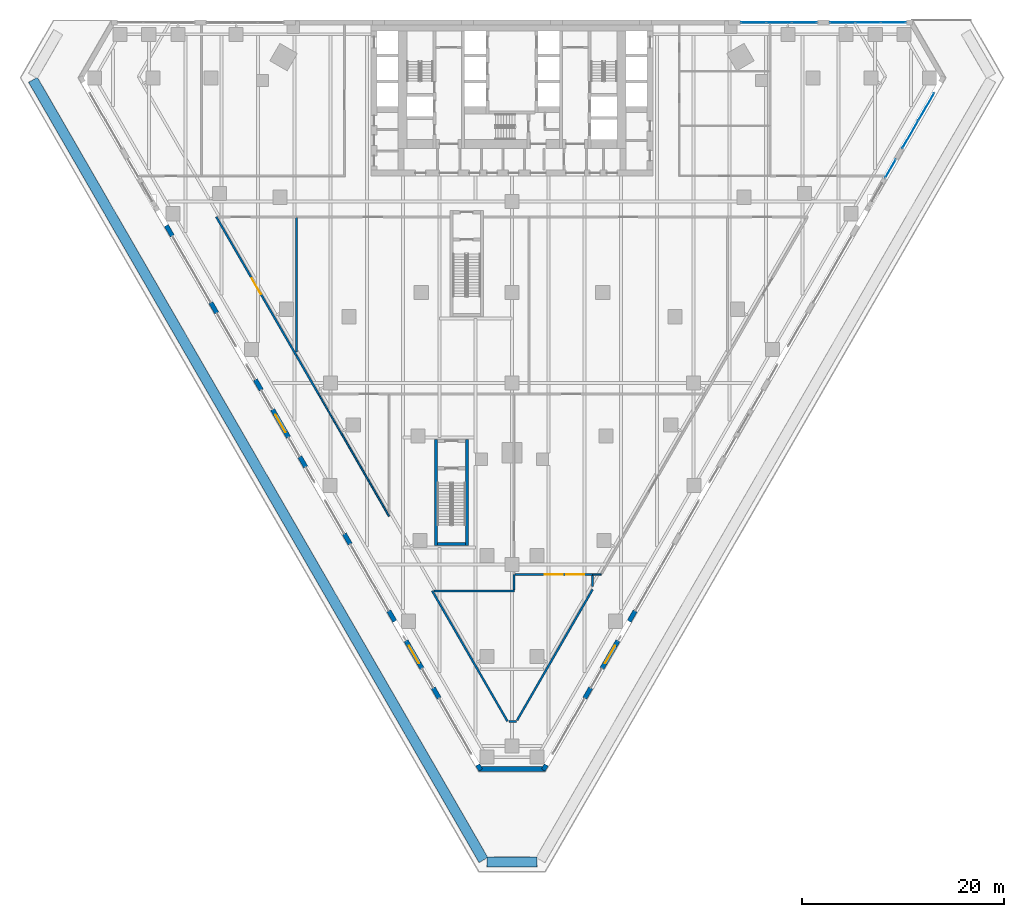
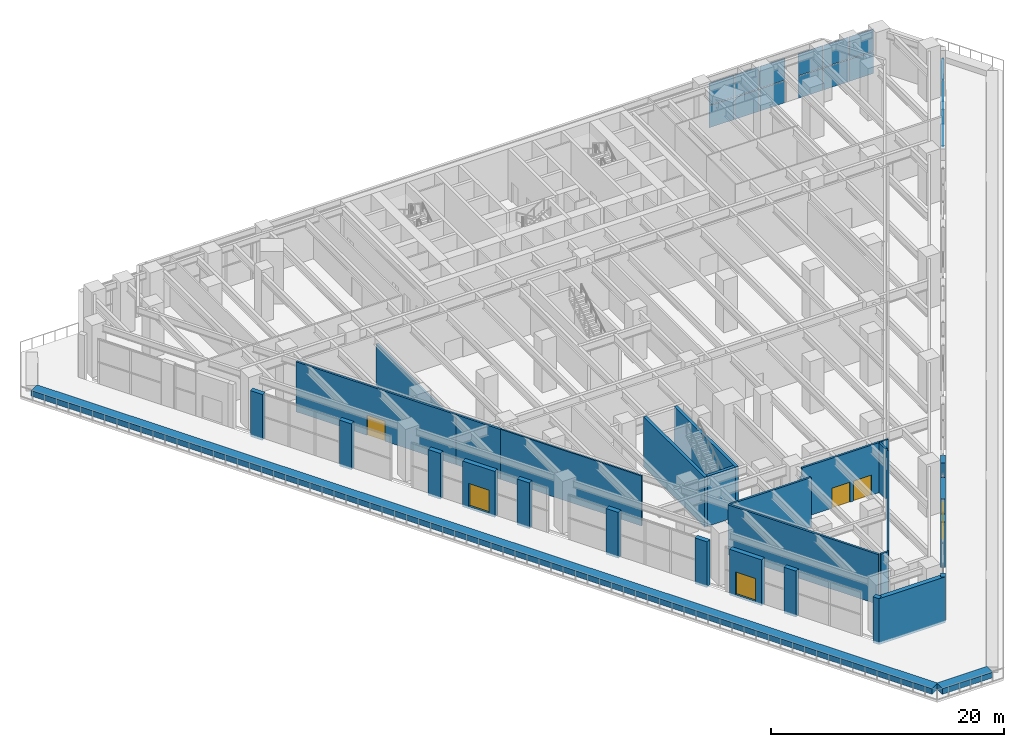
# One storey, part 20 of 30: 32 walls, 17 plates, 6 doors, 6 openings, 4 elements without a shape of their own.
"""IFC4 building model written with IfcOpenShell, lengths in metres."""

from ifc_helpers import new_model, si_unit, direction, frame, frame_2d, origin, origin_2d, place, context, subcontext, project, spatial, polyline, rectangle, outline, extrude, material, layer, layer_set, type_object, element, fill, aggregate, save


model = new_model("IFC4")

# Units and contexts
model_context = context("Model", 3, precision=1e-05, world=origin(), true_north=direction((0.0, 1.0)))
body_context = subcontext(model_context, "Body", "Model", "MODEL_VIEW")
ifc_project = project(units=[si_unit("LENGTHUNIT", "METRE"), si_unit("AREAUNIT", "SQUARE_METRE"), si_unit("VOLUMEUNIT", "CUBIC_METRE"), si_unit("PLANEANGLEUNIT", "RADIAN"), si_unit("MASSUNIT", "GRAM", prefix="KILO")], contexts=[model_context])

# Site, building, storey
site_placement = place(None, origin())
site = spatial("IfcSite", under=ifc_project, at=site_placement, CompositionType="ELEMENT")
building_placement = place(site_placement, origin())
building = spatial("IfcBuilding", under=site, at=building_placement, Name="Aloe Facet Convention Tower", CompositionType="ELEMENT")
storey_placement = place(building_placement, frame((0.0, 0.0, 19.5)))
storey = spatial("IfcBuildingStorey", under=building, at=storey_placement, Name="L03", CompositionType="ELEMENT", Elevation=19.5)

# Curtain wall, plates
ifc_material_1 = material(Name="Aluminium, anodised", Category="aluminium")
curtain_wall_type = type_object("IfcCurtainWallType", Name="EV-CW-HALL", PredefinedType="USERDEFINED", material=ifc_material_1)
curtain_wall_1_placement = place(storey_placement, origin())
curtain_wall_1 = element("IfcCurtainWall", 1, at=curtain_wall_1_placement, inside=storey, type_object=curtain_wall_type, Name="CW-L03-N02", ObjectType="UNITISED HALL GLAZING", PredefinedType="USERDEFINED")
ifc_material_2 = material(Name="Clear double glazing", Category="glass")
ifc_layer_1 = layer(ifc_material_2, 0.035888671875)
ifc_layer_set_1 = layer_set([ifc_layer_1], Name="EV-PANEL-HALL")
plate_type = type_object("IfcPlateType", Name="EV-PANEL-HALL", PredefinedType="CURTAIN_PANEL", material=ifc_layer_set_1)
plate_1_placement = place(storey_placement, frame((117.8330078125, 134.77490234375, -0.18505859375), z_axis=(0.0, 0.0, 1.0), x_axis=(-1.0, 0.0, 0.0)))
plate_1 = element("IfcPlate", 2, at=plate_1_placement, type_object=plate_type, Name="CW-L03-N02 panel 1.1", PredefinedType="CURTAIN_PANEL", context=body_context, shape_type="SweptSolid", body=[
    extrude(rectangle(XDim=2.44482421875, YDim=0.035888671875, at=origin_2d()), origin(), (0.0, 0.0, 1.0), 2.308837890625),
])
plate_2_placement = place(storey_placement, frame((117.8330078125, 134.77490234375, 2.1884765625), z_axis=(0.0, 0.0, 1.0), x_axis=(-1.0, 0.0, 0.0)))
plate_2 = element("IfcPlate", 3, at=plate_2_placement, type_object=plate_type, Name="CW-L03-N02 panel 1.2", PredefinedType="CURTAIN_PANEL", context=body_context, shape_type="SweptSolid", body=[
    extrude(rectangle(XDim=2.44482421875, YDim=0.035888671875, at=origin_2d()), origin(), (0.0, 0.0, 1.0), 2.308837890625),
])
plate_3_placement = place(storey_placement, frame((115.30712890625, 134.77490234375, -0.18505859375), z_axis=(0.0, 0.0, 1.0), x_axis=(-1.0, 0.0, 0.0)))
plate_3 = element("IfcPlate", 4, at=plate_3_placement, type_object=plate_type, Name="CW-L03-N02 panel 2.1", PredefinedType="CURTAIN_PANEL", context=body_context, shape_type="SweptSolid", body=[
    extrude(rectangle(XDim=2.477294921875, YDim=0.035888671875, at=origin_2d()), origin(), (0.0, 0.0, 1.0), 2.308837890625),
])
plate_4_placement = place(storey_placement, frame((115.30712890625, 134.77490234375, 2.1884765625), z_axis=(0.0, 0.0, 1.0), x_axis=(-1.0, 0.0, 0.0)))
plate_4 = element("IfcPlate", 5, at=plate_4_placement, type_object=plate_type, Name="CW-L03-N02 panel 2.2", PredefinedType="CURTAIN_PANEL", context=body_context, shape_type="SweptSolid", body=[
    extrude(rectangle(XDim=2.477294921875, YDim=0.035888671875, at=origin_2d()), origin(), (0.0, 0.0, 1.0), 2.308837890625),
])
plate_5_placement = place(storey_placement, frame((112.781005859375, 134.77490234375, -0.18505859375), z_axis=(0.0, 0.0, 1.0), x_axis=(-1.0, 0.0, 0.0)))
plate_5 = element("IfcPlate", 6, at=plate_5_placement, type_object=plate_type, Name="CW-L03-N02 panel 3.1", PredefinedType="CURTAIN_PANEL", context=body_context, shape_type="SweptSolid", body=[
    extrude(rectangle(XDim=2.44482421875, YDim=0.035888671875, at=origin_2d()), origin(), (0.0, 0.0, 1.0), 2.308837890625),
])
plate_6_placement = place(storey_placement, frame((112.781005859375, 134.77490234375, 2.1884765625), z_axis=(0.0, 0.0, 1.0), x_axis=(-1.0, 0.0, 0.0)))
plate_6 = element("IfcPlate", 7, at=plate_6_placement, type_object=plate_type, Name="CW-L03-N02 panel 3.2", PredefinedType="CURTAIN_PANEL", context=body_context, shape_type="SweptSolid", body=[
    extrude(rectangle(XDim=2.44482421875, YDim=0.035888671875, at=origin_2d()), origin(), (0.0, 0.0, 1.0), 2.308837890625),
])
aggregate(curtain_wall_1, [plate_1, plate_2, plate_3, plate_4, plate_5, plate_6])

curtain_wall_2_placement = place(storey_placement, origin())
curtain_wall_2 = element("IfcCurtainWall", 8, at=curtain_wall_2_placement, inside=storey, type_object=curtain_wall_type, Name="CW-L03-N04", ObjectType="UNITISED HALL GLAZING", PredefinedType="USERDEFINED")
plate_7_placement = place(storey_placement, frame((109.00634765625, 134.77490234375, -0.18505859375), z_axis=(0.0, 0.0, 1.0), x_axis=(-1.0, 0.0, 0.0)))
plate_7 = element("IfcPlate", 9, at=plate_7_placement, type_object=plate_type, Name="CW-L03-N04 panel 1.1", PredefinedType="CURTAIN_PANEL", context=body_context, shape_type="SweptSolid", body=[
    extrude(rectangle(XDim=2.44482421875, YDim=0.035888671875, at=origin_2d()), origin(), (0.0, 0.0, 1.0), 2.308837890625),
])
plate_8_placement = place(storey_placement, frame((109.00634765625, 134.77490234375, 2.1884765625), z_axis=(0.0, 0.0, 1.0), x_axis=(-1.0, 0.0, 0.0)))
plate_8 = element("IfcPlate", 10, at=plate_8_placement, type_object=plate_type, Name="CW-L03-N04 panel 1.2", PredefinedType="CURTAIN_PANEL", context=body_context, shape_type="SweptSolid", body=[
    extrude(rectangle(XDim=2.44482421875, YDim=0.035888671875, at=origin_2d()), origin(), (0.0, 0.0, 1.0), 2.308837890625),
])
plate_9_placement = place(storey_placement, frame((106.480224609375, 134.77490234375, -0.18505859375), z_axis=(0.0, 0.0, 1.0), x_axis=(-1.0, 0.0, 0.0)))
plate_9 = element("IfcPlate", 11, at=plate_9_placement, type_object=plate_type, Name="CW-L03-N04 panel 2.1", PredefinedType="CURTAIN_PANEL", context=body_context, shape_type="SweptSolid", body=[
    extrude(rectangle(XDim=2.477294921875, YDim=0.035888671875, at=origin_2d()), origin(), (0.0, 0.0, 1.0), 2.308837890625),
])
plate_10_placement = place(storey_placement, frame((106.480224609375, 134.77490234375, 2.1884765625), z_axis=(0.0, 0.0, 1.0), x_axis=(-1.0, 0.0, 0.0)))
plate_10 = element("IfcPlate", 12, at=plate_10_placement, type_object=plate_type, Name="CW-L03-N04 panel 2.2", PredefinedType="CURTAIN_PANEL", context=body_context, shape_type="SweptSolid", body=[
    extrude(rectangle(XDim=2.477294921875, YDim=0.035888671875, at=origin_2d()), origin(), (0.0, 0.0, 1.0), 2.308837890625),
])
plate_11_placement = place(storey_placement, frame((103.954345703125, 134.77490234375, -0.18505859375), z_axis=(0.0, 0.0, 1.0), x_axis=(-1.0, 0.0, 0.0)))
plate_11 = element("IfcPlate", 13, at=plate_11_placement, type_object=plate_type, Name="CW-L03-N04 panel 3.1", PredefinedType="CURTAIN_PANEL", context=body_context, shape_type="SweptSolid", body=[
    extrude(rectangle(XDim=2.44482421875, YDim=0.035888671875, at=origin_2d()), origin(), (0.0, 0.0, 1.0), 2.308837890625),
])
plate_12_placement = place(storey_placement, frame((103.954345703125, 134.77490234375, 2.1884765625), z_axis=(0.0, 0.0, 1.0), x_axis=(-1.0, 0.0, 0.0)))
plate_12 = element("IfcPlate", 14, at=plate_12_placement, type_object=plate_type, Name="CW-L03-N04 panel 3.2", PredefinedType="CURTAIN_PANEL", context=body_context, shape_type="SweptSolid", body=[
    extrude(rectangle(XDim=2.44482421875, YDim=0.035888671875, at=origin_2d()), origin(), (0.0, 0.0, 1.0), 2.308837890625),
])
aggregate(curtain_wall_2, [plate_7, plate_8, plate_9, plate_10, plate_11, plate_12])

# Curtain wall, plate
curtain_wall_3_placement = place(storey_placement, origin())
curtain_wall_3 = element("IfcCurtainWall", 15, at=curtain_wall_3_placement, inside=storey, type_object=curtain_wall_type, Name="CW-L03-E16B", ObjectType="UNITISED HALL GLAZING", PredefinedType="USERDEFINED")
plate_13_placement = place(storey_placement, frame((117.558837890625, 120.2744140625, 2.1884765625), z_axis=(0.0, 0.0, 1.0), x_axis=(0.50000000003, 0.866025403767, 0.0)))
plate_13 = element("IfcPlate", 16, at=plate_13_placement, type_object=plate_type, Name="CW-L03-E16B panel 1.2", PredefinedType="CURTAIN_PANEL", context=body_context, shape_type="SweptSolid", body=[
    extrude(rectangle(XDim=2.08349609375, YDim=0.035888671875, at=origin_2d()), origin(), (0.0, 0.0, 1.0), 2.308837890625),
])
aggregate(curtain_wall_3, [plate_13])

# Curtain wall, plates
curtain_wall_4_placement = place(storey_placement, origin())
curtain_wall_4 = element("IfcCurtainWall", 17, at=curtain_wall_4_placement, inside=storey, type_object=curtain_wall_type, Name="CW-L03-E18", ObjectType="UNITISED HALL GLAZING", PredefinedType="USERDEFINED")
plate_14_placement = place(storey_placement, frame((119.51953125, 123.67041015625, -0.18505859375), z_axis=(0.0, 0.0, 1.0), x_axis=(0.499999999894, 0.866025403846, 0.0)))
plate_14 = element("IfcPlate", 18, at=plate_14_placement, type_object=plate_type, Name="CW-L03-E18 panel 1.1", PredefinedType="CURTAIN_PANEL", context=body_context, shape_type="SweptSolid", body=[
    extrude(rectangle(XDim=3.099365234375, YDim=0.035888671875, at=origin_2d()), origin(), (0.0, 0.0, 1.0), 2.308837890625),
])
plate_15_placement = place(storey_placement, frame((119.51953125, 123.67041015625, 2.1884765625), z_axis=(0.0, 0.0, 1.0), x_axis=(0.499999999894, 0.866025403846, 0.0)))
plate_15 = element("IfcPlate", 19, at=plate_15_placement, type_object=plate_type, Name="CW-L03-E18 panel 1.2", PredefinedType="CURTAIN_PANEL", context=body_context, shape_type="SweptSolid", body=[
    extrude(rectangle(XDim=3.099365234375, YDim=0.035888671875, at=origin_2d()), origin(), (0.0, 0.0, 1.0), 2.308837890625),
])
plate_16_placement = place(storey_placement, frame((121.101806640625, 126.410888671875, -0.18505859375), z_axis=(0.0, 0.0, 1.0), x_axis=(0.499999999894, 0.866025403846, 0.0)))
plate_16 = element("IfcPlate", 20, at=plate_16_placement, type_object=plate_type, Name="CW-L03-E18 panel 2.1", PredefinedType="CURTAIN_PANEL", context=body_context, shape_type="SweptSolid", body=[
    extrude(rectangle(XDim=3.099365234375, YDim=0.035888671875, at=origin_2d()), origin(), (0.0, 0.0, 1.0), 2.308837890625),
])
plate_17_placement = place(storey_placement, frame((121.101806640625, 126.410888671875, 2.1884765625), z_axis=(0.0, 0.0, 1.0), x_axis=(0.499999999894, 0.866025403846, 0.0)))
plate_17 = element("IfcPlate", 21, at=plate_17_placement, type_object=plate_type, Name="CW-L03-E18 panel 2.2", PredefinedType="CURTAIN_PANEL", context=body_context, shape_type="SweptSolid", body=[
    extrude(rectangle(XDim=3.099365234375, YDim=0.035888671875, at=origin_2d()), origin(), (0.0, 0.0, 1.0), 2.308837890625),
])
aggregate(curtain_wall_4, [plate_14, plate_15, plate_16, plate_17])

# Walls
ifc_material_3 = material(Name="Concrete C50/60", Category="concrete")
ifc_layer_2 = layer(ifc_material_3, 0.300048828125)
ifc_layer_set_2 = layer_set([ifc_layer_2], Name="CR-W-RC300-C5060")
wall_type_1 = type_object("IfcWallType", Name="CR-W-RC300-C5060", PredefinedType="SOLIDWALL", material=ifc_layer_set_2)
for number, where, z_axis, x_axis, name in (
    (22, (72.47509765625, 82.89990234375, 0.0), (0.0, 0.0, 1.0), (0.0, 1.0, 0.0), "Exit stair wall L03-01"),
    (23, (75.52490234375, 82.89990234375, 0.0), (0.0, 0.0, 1.0), (0.0, 1.0, 0.0), "Exit stair wall L03-02"),
):
    element("IfcWall", number, at=place(storey_placement, frame(where, z_axis=z_axis, x_axis=x_axis)), inside=storey, type_object=wall_type_1, Name=name, PredefinedType="SOLIDWALL", context=body_context, shape_type="SweptSolid", body=[
        extrude(rectangle(XDim=10.5, YDim=0.300048828125, at=frame_2d((5.25, 0.0))), origin(), (0.0, 0.0, 1.0), 5.25),
    ])
wall_1_placement = place(storey_placement, frame((72.625, 83.050048828125, 0.0), z_axis=(0.0, 0.0, 1.0), x_axis=(1.0, 0.0, 0.0)))
element("IfcWall", 24, at=wall_1_placement, inside=storey, type_object=wall_type_1, Name="Exit stair wall L03-03", PredefinedType="SOLIDWALL", context=body_context, shape_type="SweptSolid", body=[
    extrude(rectangle(XDim=2.75, YDim=0.300048828125, at=frame_2d((1.375, 0.0))), origin(), (0.0, 0.0, 1.0), 5.25),
])
ifc_material_4 = material(Name="Precast concrete C40/50", Category="concrete")
ifc_layer_3 = layer(ifc_material_4, 1.0)
ifc_layer_set_3 = layer_set([ifc_layer_3], Name="EV-PLANTER-BED")
wall_type_2 = type_object("IfcWallType", Name="EV-PLANTER-BED", PredefinedType="STANDARD", material=ifc_layer_set_3)
wall_2_placement = place(storey_placement, frame((82.5, 51.486328125, 0.0), z_axis=(0.0, 0.0, 1.0), x_axis=(-1.0, 0.0, 0.0)))
element("IfcWall", 25, at=wall_2_placement, inside=storey, type_object=wall_type_2, Name="PLANTER PT-L03-1-3", PredefinedType="STANDARD", context=body_context, shape_type="SweptSolid", body=[
    extrude(rectangle(XDim=5.0, YDim=1.0, at=frame_2d((2.5, 0.0))), origin(), (0.0, 0.0, 1.0), 0.60009765625),
])
wall_3_placement = place(storey_placement, frame((77.166015625, 51.67919921875, 0.0), z_axis=(0.0, 0.0, 1.0), x_axis=(-0.500001590908, 0.866024485271, 0.0)))
element("IfcWall", 26, at=wall_3_placement, inside=storey, type_object=wall_type_2, Name="PLANTER PT-L03-1-4", PredefinedType="STANDARD", context=body_context, shape_type="SweptSolid", body=[
    extrude(rectangle(XDim=89.387939453125, YDim=1.0, at=frame_2d((44.69384765625, 0.0))), origin(), (0.0, 0.0, 1.0), 0.60009765625),
])
ifc_material_5 = material(Name="Precast concrete C40/50", Category="concrete")
ifc_layer_4 = layer(ifc_material_5, 0.449951171875)
ifc_layer_set_4 = layer_set([ifc_layer_4], Name="EV-WALL-PIER")
wall_type_3 = type_object("IfcWallType", Name="EV-WALL-PIER", PredefinedType="SOLIDWALL", material=ifc_layer_set_4)
wall_4_placement = place(storey_placement, frame((0.0, 0.0, -0.25)))
element("IfcWall", 27, at=wall_4_placement, inside=storey, type_object=wall_type_3, Name="EP-L03-B", PredefinedType="SOLIDWALL", context=body_context, shape_type="SweptSolid", body=[
    extrude(outline(polyline([(76.699951171875, 60.486328125), (77.089599609375, 60.711181640625), (76.959716796875, 60.936279296875), (83.040283203125, 60.936279296875), (82.910400390625, 60.711181640625), (83.300048828125, 60.486328125), (76.699951171875, 60.486328125)])), origin(), (0.0, 0.0, 1.0), 4.8125),
])
ifc_material_6 = material(Name="Precast concrete C40/50", Category="concrete")
ifc_layer_5 = layer(ifc_material_6, 0.449951171875)
ifc_layer_set_5 = layer_set([ifc_layer_5], Name="EV-WALL-STONE")
wall_type_4 = type_object("IfcWallType", Name="EV-WALL-STONE", PredefinedType="SOLIDWALL", material=ifc_layer_set_5)
for number, where, z_axis, x_axis, name in (
    (28, (45.701171875, 114.6279296875, -0.25), (0.0, 0.0, 1.0), (0.499880961361, -0.866094119867, 0.0), "PW-L03-W05"),
    (29, (50.114501953125, 106.983642578125, -0.25), (0.0, 0.0, 1.0), (0.50012165622, -0.865955154139, 0.0), "PW-L03-W07"),
):
    element("IfcWall", number, at=place(storey_placement, frame(where, z_axis=z_axis, x_axis=x_axis)), inside=storey, type_object=wall_type_4, Name=name, PredefinedType="SOLIDWALL", context=body_context, shape_type="SweptSolid", body=[
        extrude(rectangle(XDim=1.199951171875, YDim=0.449951171875, at=frame_2d((0.60009765625, 0.0))), origin(), (0.0, 0.0, 1.0), 4.8125),
    ])
wall_5_placement = place(storey_placement, frame((54.52783203125, 99.339599609375, -0.25), z_axis=(0.0, 0.0, 1.0), x_axis=(0.500033551112, -0.866006032174, 0.0)))
element("IfcWall", 30, at=wall_5_placement, inside=storey, type_object=wall_type_4, Name="PW-L03-W09", PredefinedType="SOLIDWALL", context=body_context, shape_type="SweptSolid", body=[
    extrude(rectangle(XDim=1.2001953125, YDim=0.449951171875, at=frame_2d((0.60009765625, 0.0))), origin(), (0.0, 0.0, 1.0), 4.8125),
])

# Wall, opening, door
wall_6_placement = place(storey_placement, frame((56.234619140625, 96.38330078125, -0.25), z_axis=(0.0, 0.0, 1.0), x_axis=(0.500028443584, -0.866008981251, 0.0)))
wall_6 = element("IfcWall", 31, at=wall_6_placement, inside=storey, type_object=wall_type_4, Name="PW-L03-W10", PredefinedType="SOLIDWALL", context=body_context, shape_type="SweptSolid", body=[
    extrude(rectangle(XDim=3.199951171875, YDim=0.449951171875, at=frame_2d((1.60009765625, 0.0))), origin(), (0.0, 0.0, 1.0), 4.8125),
])
opening_1_placement = place(wall_6_placement, frame((0.60009765625, 0.0, 0.25)))
opening_1 = element("IfcOpeningElement", 32, at=opening_1_placement, cuts=wall_6, Name="Opening D-L03-W10", PredefinedType="OPENING", context=body_context, shape_type="SweptSolid", body=[
    extrude(rectangle(XDim=2.0, YDim=2.39990234375, at=frame_2d((1.0, 1.199951171875))), frame((0.0, 0.23486328125, 0.0), z_axis=(0.0, -1.0, 0.0), x_axis=(1.0, 0.0, 0.0)), (0.0, 0.0, 1.0), 0.469970703125),
])
ifc_material_7 = material(Name="Aluminium frame, clear double glazing", Category="aluminium")
door_type_1 = type_object("IfcDoorType", Name="EV-DOOR-HALL", OperationType="DOUBLE_DOOR_SINGLE_SWING", PredefinedType="DOOR", material=ifc_material_7)
door_1_placement = place(opening_1_placement, origin())
door_1 = element("IfcDoor", 33, at=door_1_placement, inside=storey, type_object=door_type_1, Name="D-L03-W10", OperationType="DOUBLE_DOOR_SINGLE_SWING", OverallHeight=2.39990234375, OverallWidth=2.0, PredefinedType="DOOR", context=body_context, shape_type="SweptSolid", body=[
    extrude(rectangle(XDim=2.0, YDim=2.39990234375, at=frame_2d((1.0, 1.199951171875))), frame((0.0, 0.02490234375, 0.0), z_axis=(0.0, -1.0, 0.0), x_axis=(1.0, 0.0, 0.0)), (0.0, 0.0, 1.0), 0.050048828125),
])
fill(opening_1, door_1)

# Walls
for number, where, z_axis, x_axis, name in (
    (34, (58.94140625, 91.6953125, -0.25), (0.0, 0.0, 1.0), (0.499880961361, -0.866094119867, 0.0), "PW-L03-W11"),
    (35, (63.354736328125, 84.051025390625, -0.25), (0.0, 0.0, 1.0), (0.499880961361, -0.866094119867, 0.0), "PW-L03-W13"),
    (36, (67.76806640625, 76.40673828125, -0.25), (0.0, 0.0, 1.0), (0.50012165622, -0.865955154139, 0.0), "PW-L03-W15"),
):
    element("IfcWall", number, at=place(storey_placement, frame(where, z_axis=z_axis, x_axis=x_axis)), inside=storey, type_object=wall_type_4, Name=name, PredefinedType="SOLIDWALL", context=body_context, shape_type="SweptSolid", body=[
        extrude(rectangle(XDim=1.199951171875, YDim=0.449951171875, at=frame_2d((0.60009765625, 0.0))), origin(), (0.0, 0.0, 1.0), 4.8125),
    ])

# Wall, opening, door
wall_7_placement = place(storey_placement, frame((69.474853515625, 73.45068359375, -0.25), z_axis=(0.0, 0.0, 1.0), x_axis=(0.499971222258, -0.866042017984, 0.0)))
wall_7 = element("IfcWall", 37, at=wall_7_placement, inside=storey, type_object=wall_type_4, Name="PW-L03-W16", PredefinedType="SOLIDWALL", context=body_context, shape_type="SweptSolid", body=[
    extrude(rectangle(XDim=3.199951171875, YDim=0.449951171875, at=frame_2d((1.60009765625, 0.0))), origin(), (0.0, 0.0, 1.0), 4.8125),
])
opening_2_placement = place(wall_7_placement, frame((0.60009765625, 0.0, 0.25)))
opening_2 = element("IfcOpeningElement", 38, at=opening_2_placement, cuts=wall_7, Name="Opening D-L03-W16", PredefinedType="OPENING", context=body_context, shape_type="SweptSolid", body=[
    extrude(rectangle(XDim=2.0, YDim=2.39990234375, at=frame_2d((1.0, 1.199951171875))), frame((0.0, 0.23486328125, 0.0), z_axis=(0.0, -1.0, 0.0), x_axis=(1.0, 0.0, 0.0)), (0.0, 0.0, 1.0), 0.469970703125),
])
door_2_placement = place(opening_2_placement, origin())
door_2 = element("IfcDoor", 39, at=door_2_placement, inside=storey, type_object=door_type_1, Name="D-L03-W16", OperationType="DOUBLE_DOOR_SINGLE_SWING", OverallHeight=2.39990234375, OverallWidth=2.0, PredefinedType="DOOR", context=body_context, shape_type="SweptSolid", body=[
    extrude(rectangle(XDim=2.0, YDim=2.39990234375, at=frame_2d((1.0, 1.199951171875))), frame((0.0, 0.02490234375, 0.0), z_axis=(0.0, -1.0, 0.0), x_axis=(1.0, 0.0, 0.0)), (0.0, 0.0, 1.0), 0.050048828125),
])
fill(opening_2, door_2)

# Walls
wall_8_placement = place(storey_placement, frame((72.181396484375, 68.7626953125, -0.25), z_axis=(0.0, 0.0, 1.0), x_axis=(0.500033551112, -0.866006032174, 0.0)))
element("IfcWall", 40, at=wall_8_placement, inside=storey, type_object=wall_type_4, Name="PW-L03-W17", PredefinedType="SOLIDWALL", context=body_context, shape_type="SweptSolid", body=[
    extrude(rectangle(XDim=1.2001953125, YDim=0.449951171875, at=frame_2d((0.60009765625, 0.0))), origin(), (0.0, 0.0, 1.0), 4.8125),
])
for number, where, z_axis, x_axis, name in (
    (41, (76.594970703125, 61.118408203125, -0.25), (0.0, 0.0, 1.0), (0.499816412211, -0.866131372301, 0.0), "PW-L03-W19"),
    (42, (83.105224609375, 60.598876953125, -0.25), (0.0, 0.0, 1.0), (0.499816412211, 0.866131372301, 0.0), "PW-L03-E01"),
):
    element("IfcWall", number, at=place(storey_placement, frame(where, z_axis=z_axis, x_axis=x_axis)), inside=storey, type_object=wall_type_4, Name=name, PredefinedType="SOLIDWALL", context=body_context, shape_type="SweptSolid", body=[
        extrude(rectangle(XDim=0.599853515625, YDim=0.449951171875, at=frame_2d((0.2998046875, 0.0))), origin(), (0.0, 0.0, 1.0), 4.8125),
    ])
wall_9_placement = place(storey_placement, frame((87.218505859375, 67.723388671875, -0.25), z_axis=(0.0, 0.0, 1.0), x_axis=(0.500033551112, 0.866006032174, 0.0)))
element("IfcWall", 43, at=wall_9_placement, inside=storey, type_object=wall_type_4, Name="PW-L03-E03", PredefinedType="SOLIDWALL", context=body_context, shape_type="SweptSolid", body=[
    extrude(rectangle(XDim=1.2001953125, YDim=0.449951171875, at=frame_2d((0.60009765625, 0.0))), origin(), (0.0, 0.0, 1.0), 4.8125),
])

# Wall, opening, door
wall_10_placement = place(storey_placement, frame((88.92529296875, 70.679443359375, -0.25), z_axis=(0.0, 0.0, 1.0), x_axis=(0.499971222258, 0.866042017984, 0.0)))
wall_10 = element("IfcWall", 44, at=wall_10_placement, inside=storey, type_object=wall_type_4, Name="PW-L03-E04", PredefinedType="SOLIDWALL", context=body_context, shape_type="SweptSolid", body=[
    extrude(rectangle(XDim=3.199951171875, YDim=0.449951171875, at=frame_2d((1.60009765625, 0.0))), origin(), (0.0, 0.0, 1.0), 4.8125),
])
opening_3_placement = place(wall_10_placement, frame((0.60009765625, 0.0, 0.25)))
opening_3 = element("IfcOpeningElement", 45, at=opening_3_placement, cuts=wall_10, Name="Opening D-L03-E04", PredefinedType="OPENING", context=body_context, shape_type="SweptSolid", body=[
    extrude(rectangle(XDim=2.0, YDim=2.39990234375, at=frame_2d((1.0, 1.199951171875))), frame((0.0, 0.23486328125, 0.0), z_axis=(0.0, -1.0, 0.0), x_axis=(1.0, 0.0, 0.0)), (0.0, 0.0, 1.0), 0.469970703125),
])
door_3_placement = place(opening_3_placement, origin())
door_3 = element("IfcDoor", 46, at=door_3_placement, inside=storey, type_object=door_type_1, Name="D-L03-E04", OperationType="DOUBLE_DOOR_SINGLE_SWING", OverallHeight=2.39990234375, OverallWidth=2.0, PredefinedType="DOOR", context=body_context, shape_type="SweptSolid", body=[
    extrude(rectangle(XDim=2.0, YDim=2.39990234375, at=frame_2d((1.0, 1.199951171875))), frame((0.0, 0.02490234375, 0.0), z_axis=(0.0, -1.0, 0.0), x_axis=(1.0, 0.0, 0.0)), (0.0, 0.0, 1.0), 0.050048828125),
])
fill(opening_3, door_3)

# Walls
wall_11_placement = place(storey_placement, frame((91.6318359375, 75.36767578125, -0.25), z_axis=(0.0, 0.0, 1.0), x_axis=(0.50012165622, 0.865955154139, 0.0)))
element("IfcWall", 47, at=wall_11_placement, inside=storey, type_object=wall_type_4, Name="PW-L03-E05", PredefinedType="SOLIDWALL", context=body_context, shape_type="SweptSolid", body=[
    extrude(rectangle(XDim=1.199951171875, YDim=0.449951171875, at=frame_2d((0.60009765625, 0.0))), origin(), (0.0, 0.0, 1.0), 4.8125),
])
ifc_material_8 = material(Name="Masonry blockwork wall, plastered", Category="masonry")
ifc_layer_6 = layer(ifc_material_8, 0.199951171875)
ifc_layer_set_6 = layer_set([ifc_layer_6], Name="IN-POD-W-ASSY")
wall_type_5 = type_object("IfcWallType", Name="IN-POD-W-ASSY", PredefinedType="PARTITIONING", material=ifc_layer_set_6)
wall_12_placement = place(storey_placement, frame((72.084716796875, 78.3798828125, 0.0), z_axis=(0.0, 0.0, 1.0), x_axis=(0.500007605189, -0.866021012882, 0.0)))
element("IfcWall", 48, at=wall_12_placement, inside=storey, type_object=wall_type_5, Name="Partition L03-W001", PredefinedType="PARTITIONING", context=body_context, shape_type="SweptSolid", body=[
    extrude(rectangle(XDim=14.946044921875, YDim=0.199951171875, at=frame_2d((7.47314453125, 0.0))), origin(), (0.0, 0.0, 1.0), 5.25),
])
wall_13_placement = place(storey_placement, frame((79.687744140625, 65.436279296875, 0.0), z_axis=(0.0, 0.0, 1.0), x_axis=(1.0, 0.0, 0.0)))
element("IfcWall", 49, at=wall_13_placement, inside=storey, type_object=wall_type_5, Name="Partition L03-W002", PredefinedType="PARTITIONING", context=body_context, shape_type="SweptSolid", body=[
    extrude(rectangle(XDim=0.75439453125, YDim=0.199951171875, at=frame_2d((0.377197265625, 0.0))), origin(), (0.0, 0.0, 1.0), 5.25),
])
wall_14_placement = place(storey_placement, frame((72.24462890625, 78.3798828125, 0.0), z_axis=(0.0, 0.0, 1.0), x_axis=(1.0, 0.0, 0.0)))
element("IfcWall", 50, at=wall_14_placement, inside=storey, type_object=wall_type_5, Name="Partition L03-W003", PredefinedType="PARTITIONING", context=body_context, shape_type="SweptSolid", body=[
    extrude(rectangle(XDim=8.025390625, YDim=0.199951171875, at=frame_2d((4.0126953125, 0.0))), origin(), (0.0, 0.0, 1.0), 5.25),
])
wall_15_placement = place(storey_placement, frame((80.195068359375, 78.465087890625, 0.0), z_axis=(0.0, 0.0, 1.0), x_axis=(0.0, 1.0, 0.0)))
element("IfcWall", 51, at=wall_15_placement, inside=storey, type_object=wall_type_5, Name="Partition L03-W004", PredefinedType="PARTITIONING", context=body_context, shape_type="SweptSolid", body=[
    extrude(rectangle(XDim=1.534912109375, YDim=0.199951171875, at=frame_2d((0.767578125, 0.0))), origin(), (0.0, 0.0, 1.0), 4.38916015625),
])
wall_16_placement = place(storey_placement, frame((80.507080078125, 65.548828125, 0.0), z_axis=(0.0, 0.0, 1.0), x_axis=(0.500002619555, 0.866023891378, 0.0)))
element("IfcWall", 52, at=wall_16_placement, inside=storey, type_object=wall_type_5, Name="Partition L03-W005", PredefinedType="PARTITIONING", context=body_context, shape_type="SweptSolid", body=[
    extrude(rectangle(XDim=14.98583984375, YDim=0.199951171875, at=frame_2d((7.492919921875, 0.0))), origin(), (0.0, 0.0, 1.0), 5.25),
])
wall_17_placement = place(storey_placement, frame((88.0, 78.806884765625, 0.0), z_axis=(0.0, 0.0, 1.0), x_axis=(0.0, 1.0, 0.0)))
element("IfcWall", 53, at=wall_17_placement, inside=storey, type_object=wall_type_5, Name="Partition L03-W007", PredefinedType="PARTITIONING", context=body_context, shape_type="SweptSolid", body=[
    extrude(rectangle(XDim=1.108154296875, YDim=0.199951171875, at=frame_2d((0.55419921875, 0.0))), origin(), (0.0, 0.0, 1.0), 5.25),
])

# Wall, openings, doors
wall_18_placement = place(storey_placement, frame((80.280029296875, 80.0, 0.0), z_axis=(0.0, 0.0, 1.0), x_axis=(1.0, 0.0, 0.0)))
wall_18 = element("IfcWall", 54, at=wall_18_placement, inside=storey, type_object=wall_type_5, Name="Partition L03-W008", PredefinedType="PARTITIONING", context=body_context, shape_type="SweptSolid", body=[
    extrude(rectangle(XDim=7.719970703125, YDim=0.199951171875, at=frame_2d((3.85986328125, 0.0))), origin(), (0.0, 0.0, 1.0), 5.25),
])
opening_4_placement = place(wall_18_placement, frame((2.9599609375, 0.0, 0.0)))
opening_4 = element("IfcOpeningElement", 55, at=opening_4_placement, cuts=wall_18, Name="Opening L03-016", PredefinedType="OPENING", context=body_context, shape_type="SweptSolid", body=[
    extrude(rectangle(XDim=1.800048828125, YDim=2.10009765625, at=frame_2d((0.89990234375, 1.050048828125))), frame((0.0, 0.10986328125, 0.0), z_axis=(0.0, -1.0, 0.0), x_axis=(1.0, 0.0, 0.0)), (0.0, 0.0, 1.0), 0.219970703125),
])
opening_5_placement = place(wall_18_placement, frame((5.087890625, 0.0, 0.0)))
opening_5 = element("IfcOpeningElement", 56, at=opening_5_placement, cuts=wall_18, Name="Opening L03-017", PredefinedType="OPENING", context=body_context, shape_type="SweptSolid", body=[
    extrude(rectangle(XDim=1.800048828125, YDim=2.10009765625, at=frame_2d((0.89990234375, 1.050048828125))), frame((0.0, 0.10986328125, 0.0), z_axis=(0.0, -1.0, 0.0), x_axis=(1.0, 0.0, 0.0)), (0.0, 0.0, 1.0), 0.219970703125),
])
ifc_material_9 = material(Name="Hardwood flush door pair", Category="wood")
door_type_2 = type_object("IfcDoorType", Name="IN-POD-D-PAIR", OperationType="DOUBLE_DOOR_SINGLE_SWING", PredefinedType="DOOR", material=ifc_material_9)
door_4_placement = place(opening_4_placement, origin())
door_4 = element("IfcDoor", 57, at=door_4_placement, inside=storey, type_object=door_type_2, Name="Door L03-016", OperationType="SINGLE_SWING_LEFT", OverallHeight=2.10009765625, OverallWidth=1.800048828125, PredefinedType="DOOR", context=body_context, shape_type="SweptSolid", body=[
    extrude(rectangle(XDim=1.800048828125, YDim=2.10009765625, at=frame_2d((0.89990234375, 1.050048828125))), frame((0.0, 0.02490234375, 0.0), z_axis=(0.0, -1.0, 0.0), x_axis=(1.0, 0.0, 0.0)), (0.0, 0.0, 1.0), 0.050048828125),
])
fill(opening_4, door_4)
door_5_placement = place(opening_5_placement, origin())
door_5 = element("IfcDoor", 58, at=door_5_placement, inside=storey, type_object=door_type_2, Name="Door L03-017", OperationType="SINGLE_SWING_LEFT", OverallHeight=2.10009765625, OverallWidth=1.800048828125, PredefinedType="DOOR", context=body_context, shape_type="SweptSolid", body=[
    extrude(rectangle(XDim=1.800048828125, YDim=2.10009765625, at=frame_2d((0.89990234375, 1.050048828125))), frame((0.0, 0.02490234375, 0.0), z_axis=(0.0, -1.0, 0.0), x_axis=(1.0, 0.0, 0.0)), (0.0, 0.0, 1.0), 0.050048828125),
])
fill(opening_5, door_5)

# Wall
wall_19_placement = place(storey_placement, frame((58.60009765625, 101.736328125, 0.0), z_axis=(0.0, 0.0, 1.0), x_axis=(0.499994207481, -0.866028748071, 0.0)))
element("IfcWall", 59, at=wall_19_placement, inside=storey, type_object=wall_type_5, Name="Partition L03-W011", PredefinedType="PARTITIONING", context=body_context, shape_type="SweptSolid", body=[
    extrude(rectangle(XDim=4.40673828125, YDim=0.199951171875, at=frame_2d((2.203369140625, 0.0))), origin(), (0.0, 0.0, 1.0), 5.25),
])

# Wall, opening, door
wall_20_placement = place(storey_placement, frame((50.653564453125, 115.5, 0.0), z_axis=(0.0, 0.0, 1.0), x_axis=(0.500003470451, -0.866023400109, 0.0)))
wall_20 = element("IfcWall", 60, at=wall_20_placement, inside=storey, type_object=wall_type_5, Name="Partition L03-W021", PredefinedType="PARTITIONING", context=body_context, shape_type="SweptSolid", body=[
    extrude(rectangle(XDim=15.89306640625, YDim=0.199951171875, at=frame_2d((7.946533203125, 0.0))), origin(), (0.0, 0.0, 1.0), 5.25),
])
opening_6_placement = place(wall_20_placement, frame((7.04638671875, 0.0, 0.0)))
opening_6 = element("IfcOpeningElement", 61, at=opening_6_placement, cuts=wall_20, Name="Opening L03-008", PredefinedType="OPENING", context=body_context, shape_type="SweptSolid", body=[
    extrude(rectangle(XDim=1.800048828125, YDim=2.10009765625, at=frame_2d((0.89990234375, 1.050048828125))), frame((0.0, 0.10986328125, 0.0), z_axis=(0.0, -1.0, 0.0), x_axis=(1.0, 0.0, 0.0)), (0.0, 0.0, 1.0), 0.219970703125),
])
door_6_placement = place(opening_6_placement, origin())
door_6 = element("IfcDoor", 62, at=door_6_placement, inside=storey, type_object=door_type_2, Name="Door L03-008", OperationType="SINGLE_SWING_LEFT", OverallHeight=2.10009765625, OverallWidth=1.800048828125, PredefinedType="DOOR", context=body_context, shape_type="SweptSolid", body=[
    extrude(rectangle(XDim=1.800048828125, YDim=2.10009765625, at=frame_2d((0.89990234375, 1.050048828125))), frame((0.0, 0.02490234375, 0.0), z_axis=(0.0, -1.0, 0.0), x_axis=(1.0, 0.0, 0.0)), (0.0, 0.0, 1.0), 0.050048828125),
])
fill(opening_6, door_6)

# Walls
wall_21_placement = place(storey_placement, frame((58.60009765625, 102.081298828125, 0.0), z_axis=(0.0, 0.0, 1.0), x_axis=(0.0, 1.0, 0.0)))
element("IfcWall", 63, at=wall_21_placement, inside=storey, type_object=wall_type_5, Name="Partition L03-W022", PredefinedType="PARTITIONING", context=body_context, shape_type="SweptSolid", body=[
    extrude(rectangle(XDim=13.333740234375, YDim=0.199951171875, at=frame_2d((6.6669921875, 0.0))), origin(), (0.0, 0.0, 1.0), 4.38916015625),
])
ifc_material_10 = material(Name="Gypsum board partition on steel studs, double layer", Category="steel")
ifc_layer_7 = layer(ifc_material_10, 0.14990234375)
ifc_layer_set_7 = layer_set([ifc_layer_7], Name="IN-POD-W-CORR")
wall_type_6 = type_object("IfcWallType", Name="IN-POD-W-CORR", PredefinedType="PARTITIONING", material=ifc_layer_set_7)
wall_22_placement = place(storey_placement, frame((88.0, 80.0, 0.0), z_axis=(0.0, 0.0, 1.0), x_axis=(1.0, 0.0, 0.0)))
element("IfcWall", 64, at=wall_22_placement, inside=storey, type_object=wall_type_6, Name="Partition L03-W009", PredefinedType="PARTITIONING", context=body_context, shape_type="SweptSolid", body=[
    extrude(rectangle(XDim=0.8505859375, YDim=0.14990234375, at=frame_2d((0.42529296875, 0.0))), origin(), (0.0, 0.0, 1.0), 5.25),
])
wall_23_placement = place(storey_placement, frame((60.803466796875, 97.919921875, 0.0), z_axis=(0.0, 0.0, 1.0), x_axis=(0.499998135713, -0.866026480128, 0.0)))
element("IfcWall", 65, at=wall_23_placement, inside=storey, type_object=wall_type_6, Name="Partition L03-W010", PredefinedType="PARTITIONING", context=body_context, shape_type="SweptSolid", body=[
    extrude(rectangle(XDim=14.0029296875, YDim=0.14990234375, at=frame_2d((7.00146484375, 0.0))), origin(), (0.0, 0.0, 1.0), 5.25),
])

save(model, "model.ifc")
